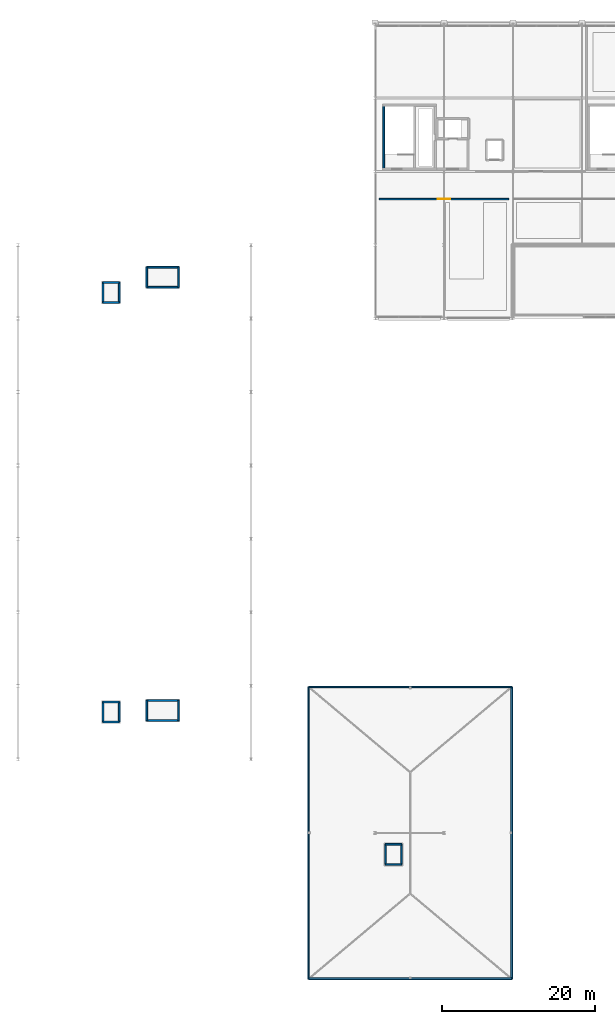
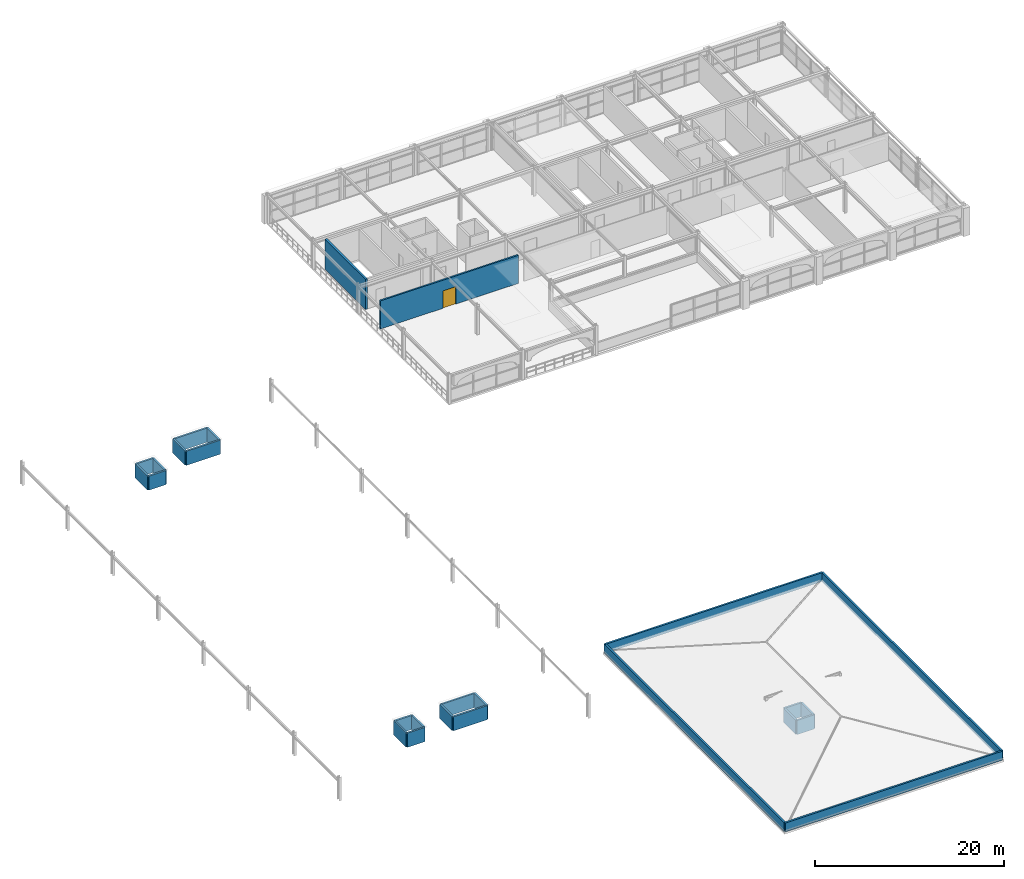
# One storey, part 20 of 25: 26 walls, 1 door, 1 opening.
"""IFC4 building model written with IfcOpenShell, lengths in metres."""

from ifc_helpers import new_model, si_unit, direction, frame, frame_2d, origin, place, context, subcontext, project, spatial, rectangle, extrude, material, layer, layer_set, type_object, element, fill, save


model = new_model("IFC4")

# Units and contexts
model_context = context("Model", 3, precision=1e-05, world=origin(), true_north=direction((0.0, 1.0)))
body_context = subcontext(model_context, "Body", "Model", "MODEL_VIEW")
ifc_project = project(units=[si_unit("LENGTHUNIT", "METRE"), si_unit("AREAUNIT", "SQUARE_METRE"), si_unit("VOLUMEUNIT", "CUBIC_METRE"), si_unit("PLANEANGLEUNIT", "RADIAN"), si_unit("MASSUNIT", "GRAM", prefix="KILO")], contexts=[model_context])

# Site, building, storey
site_placement = place(None, origin())
site = spatial("IfcSite", under=ifc_project, at=site_placement, CompositionType="ELEMENT")
building_placement = place(site_placement, origin())
building = spatial("IfcBuilding", under=site, at=building_placement, Name="Myrtia Square Station", CompositionType="ELEMENT")
storey_placement = place(building_placement, frame((0.0, 0.0, 18.89990234375)))
storey = spatial("IfcBuildingStorey", under=building, at=storey_placement, Name="L04", CompositionType="ELEMENT", Elevation=18.89990234375)

# Walls
ifc_material_1 = material(Name="Concrete C35/45", Category="concrete")
ifc_layer_1 = layer(ifc_material_1, 0.25, Name="Concrete C35/45")
ifc_layer_set_1 = layer_set([ifc_layer_1], Name="Concrete C35/45")
wall_type_1 = type_object("IfcWallType", Name="WL-CORE-250", PredefinedType="SHEAR", material=ifc_layer_set_1)
wall_1_placement = place(storey_placement, frame((127.125, 105.800048828125, 0.0), z_axis=(0.0, 0.0, 1.0), x_axis=(0.0, 1.0, 0.0)))
element("IfcWall", 1, at=wall_1_placement, inside=storey, type_object=wall_type_1, Name="Core K7 shear wall L04 W", PredefinedType="SHEAR", context=body_context, shape_type="SweptSolid", body=[
    extrude(rectangle(XDim=8.599853515625, YDim=0.25, at=frame_2d((4.2998046875, 0.0))), origin(), (0.0, 0.0, 1.0), 3.900146484375),
])
ifc_layer_2 = layer(ifc_material_1, 0.219970703125, Name="Concrete C35/45")
ifc_layer_set_2 = layer_set([ifc_layer_2], Name="Concrete C35/45")
wall_type_2 = type_object("IfcWallType", Name="WL-LIFT-220", PredefinedType="SHEAR", material=ifc_layer_set_2)
for number, where, z_axis, x_axis, name in (
    (2, (90.43994140625, 33.68994140625, 0.0), (0.0, 0.0, 1.0), (1.0, 0.0, 0.0), "Lift overrun enclosure wall PL-05 S"),
    (3, (90.43994140625, 36.31005859375, 0.0), (0.0, 0.0, 1.0), (1.0, 0.0, 0.0), "Lift overrun enclosure wall PL-05 N"),
):
    element("IfcWall", number, at=place(storey_placement, frame(where, z_axis=z_axis, x_axis=x_axis)), inside=storey, type_object=wall_type_2, Name=name, PredefinedType="SHEAR", context=body_context, shape_type="SweptSolid", body=[
        extrude(rectangle(XDim=2.1201171875, YDim=0.219970703125, at=frame_2d((1.06005859375, 0.0))), origin(), (0.0, 0.0, 1.0), 1.820068359375),
    ])
for number, where, z_axis, x_axis, name in (
    (4, (90.43994140625, 33.68994140625, 0.0), (0.0, 0.0, 1.0), (0.0, 1.0, 0.0), "Lift overrun enclosure wall PL-05 W"),
    (5, (92.56005859375, 33.68994140625, 0.0), (0.0, 0.0, 1.0), (0.0, 1.0, 0.0), "Lift overrun enclosure wall PL-05 E"),
):
    element("IfcWall", number, at=place(storey_placement, frame(where, z_axis=z_axis, x_axis=x_axis)), inside=storey, type_object=wall_type_2, Name=name, PredefinedType="SHEAR", context=body_context, shape_type="SweptSolid", body=[
        extrude(rectangle(XDim=2.6201171875, YDim=0.219970703125, at=frame_2d((1.31005859375, 0.0))), origin(), (0.0, 0.0, 1.0), 1.820068359375),
    ])
for number, where, z_axis, x_axis, name in (
    (6, (90.43994140625, 88.489990234375, 0.0), (0.0, 0.0, 1.0), (1.0, 0.0, 0.0), "Lift overrun enclosure wall PL-06 S"),
    (7, (90.43994140625, 91.110107421875, 0.0), (0.0, 0.0, 1.0), (1.0, 0.0, 0.0), "Lift overrun enclosure wall PL-06 N"),
):
    element("IfcWall", number, at=place(storey_placement, frame(where, z_axis=z_axis, x_axis=x_axis)), inside=storey, type_object=wall_type_2, Name=name, PredefinedType="SHEAR", context=body_context, shape_type="SweptSolid", body=[
        extrude(rectangle(XDim=2.1201171875, YDim=0.219970703125, at=frame_2d((1.06005859375, 0.0))), origin(), (0.0, 0.0, 1.0), 1.820068359375),
    ])
for number, where, z_axis, x_axis, name in (
    (8, (90.43994140625, 88.489990234375, 0.0), (0.0, 0.0, 1.0), (0.0, 1.0, 0.0), "Lift overrun enclosure wall PL-06 W"),
    (9, (92.56005859375, 88.489990234375, 0.0), (0.0, 0.0, 1.0), (0.0, 1.0, 0.0), "Lift overrun enclosure wall PL-06 E"),
):
    element("IfcWall", number, at=place(storey_placement, frame(where, z_axis=z_axis, x_axis=x_axis)), inside=storey, type_object=wall_type_2, Name=name, PredefinedType="SHEAR", context=body_context, shape_type="SweptSolid", body=[
        extrude(rectangle(XDim=2.6201171875, YDim=0.219970703125, at=frame_2d((1.31005859375, 0.0))), origin(), (0.0, 0.0, 1.0), 1.820068359375),
    ])
for number, where, z_axis, x_axis, name in (
    (10, (127.340087890625, 15.090087890625, 0.0), (0.0, 0.0, 1.0), (1.0, 0.0, 0.0), "Lift overrun enclosure wall PL-07 S"),
    (11, (127.340087890625, 17.7099609375, 0.0), (0.0, 0.0, 1.0), (1.0, 0.0, 0.0), "Lift overrun enclosure wall PL-07 N"),
):
    element("IfcWall", number, at=place(storey_placement, frame(where, z_axis=z_axis, x_axis=x_axis)), inside=storey, type_object=wall_type_2, Name=name, PredefinedType="SHEAR", context=body_context, shape_type="SweptSolid", body=[
        extrude(rectangle(XDim=2.119873046875, YDim=0.219970703125, at=frame_2d((1.06005859375, 0.0))), origin(), (0.0, 0.0, 1.0), 1.820068359375),
    ])
for number, where, z_axis, x_axis, name in (
    (12, (127.340087890625, 15.090087890625, 0.0), (0.0, 0.0, 1.0), (0.0, 1.0, 0.0), "Lift overrun enclosure wall PL-07 W"),
    (13, (129.4599609375, 15.090087890625, 0.0), (0.0, 0.0, 1.0), (0.0, 1.0, 0.0), "Lift overrun enclosure wall PL-07 E"),
):
    element("IfcWall", number, at=place(storey_placement, frame(where, z_axis=z_axis, x_axis=x_axis)), inside=storey, type_object=wall_type_2, Name=name, PredefinedType="SHEAR", context=body_context, shape_type="SweptSolid", body=[
        extrude(rectangle(XDim=2.619873046875, YDim=0.219970703125, at=frame_2d((1.31005859375, 0.0))), origin(), (0.0, 0.0, 1.0), 1.820068359375),
    ])
for number, where, z_axis, x_axis, name in (
    (14, (96.169921875, 33.8798828125, 0.0), (0.0, 0.0, 1.0), (1.0, 0.0, 0.0), "Lift overrun enclosure wall FFL-01 S"),
    (15, (96.169921875, 36.5, 0.0), (0.0, 0.0, 1.0), (1.0, 0.0, 0.0), "Lift overrun enclosure wall FFL-01 N"),
):
    element("IfcWall", number, at=place(storey_placement, frame(where, z_axis=z_axis, x_axis=x_axis)), inside=storey, type_object=wall_type_2, Name=name, PredefinedType="SHEAR", context=body_context, shape_type="SweptSolid", body=[
        extrude(rectangle(XDim=4.16015625, YDim=0.219970703125, at=frame_2d((2.080078125, 0.0))), origin(), (0.0, 0.0, 1.0), 1.820068359375),
    ])
for number, where, z_axis, x_axis, name in (
    (16, (96.169921875, 33.8798828125, 0.0), (0.0, 0.0, 1.0), (0.0, 1.0, 0.0), "Lift overrun enclosure wall FFL-01 W"),
    (17, (100.330078125, 33.8798828125, 0.0), (0.0, 0.0, 1.0), (0.0, 1.0, 0.0), "Lift overrun enclosure wall FFL-01 E"),
):
    element("IfcWall", number, at=place(storey_placement, frame(where, z_axis=z_axis, x_axis=x_axis)), inside=storey, type_object=wall_type_2, Name=name, PredefinedType="SHEAR", context=body_context, shape_type="SweptSolid", body=[
        extrude(rectangle(XDim=2.6201171875, YDim=0.219970703125, at=frame_2d((1.31005859375, 0.0))), origin(), (0.0, 0.0, 1.0), 1.820068359375),
    ])
for number, where, z_axis, x_axis, name in (
    (18, (96.169921875, 90.47998046875, 0.0), (0.0, 0.0, 1.0), (1.0, 0.0, 0.0), "Lift overrun enclosure wall FFL-02 S"),
    (19, (96.169921875, 93.10009765625, 0.0), (0.0, 0.0, 1.0), (1.0, 0.0, 0.0), "Lift overrun enclosure wall FFL-02 N"),
):
    element("IfcWall", number, at=place(storey_placement, frame(where, z_axis=z_axis, x_axis=x_axis)), inside=storey, type_object=wall_type_2, Name=name, PredefinedType="SHEAR", context=body_context, shape_type="SweptSolid", body=[
        extrude(rectangle(XDim=4.16015625, YDim=0.219970703125, at=frame_2d((2.080078125, 0.0))), origin(), (0.0, 0.0, 1.0), 1.820068359375),
    ])
for number, where, z_axis, x_axis, name in (
    (20, (96.169921875, 90.47998046875, 0.0), (0.0, 0.0, 1.0), (0.0, 1.0, 0.0), "Lift overrun enclosure wall FFL-02 W"),
    (21, (100.330078125, 90.47998046875, 0.0), (0.0, 0.0, 1.0), (0.0, 1.0, 0.0), "Lift overrun enclosure wall FFL-02 E"),
):
    element("IfcWall", number, at=place(storey_placement, frame(where, z_axis=z_axis, x_axis=x_axis)), inside=storey, type_object=wall_type_2, Name=name, PredefinedType="SHEAR", context=body_context, shape_type="SweptSolid", body=[
        extrude(rectangle(XDim=2.6201171875, YDim=0.219970703125, at=frame_2d((1.31005859375, 0.0))), origin(), (0.0, 0.0, 1.0), 1.820068359375),
    ])
ifc_material_2 = material(Name="Cream lime stucco on clay brick masonry", Category="masonry")
ifc_layer_3 = layer(ifc_material_2, 0.22998046875, Name="Cream lime stucco on clay brick masonry")
ifc_layer_set_3 = layer_set([ifc_layer_3], Name="Cream lime stucco on clay brick masonry")
wall_type_3 = type_object("IfcWallType", Name="WL-PAR-STUCCO-230", PredefinedType="PARAPET", material=ifc_layer_set_3)
wall_2_placement = place(storey_placement, frame((117.300048828125, 0.14990234375, 0.0), z_axis=(0.0, 0.0, 1.0), x_axis=(1.0, 0.0, 0.0)))
element("IfcWall", 22, at=wall_2_placement, inside=storey, type_object=wall_type_3, Name="Spanish Mission roof parapet 037", PredefinedType="PARAPET", context=body_context, shape_type="SweptSolid", body=[
    extrude(rectangle(XDim=26.550048828125, YDim=0.22998046875, at=frame_2d((13.27490234375, 0.0))), origin(), (0.0, 0.0, 1.0), 1.150146484375),
])
wall_3_placement = place(storey_placement, frame((143.85009765625, 0.14990234375, 0.0), z_axis=(0.0, 0.0, 1.0), x_axis=(0.0, 1.0, 0.0)))
element("IfcWall", 23, at=wall_3_placement, inside=storey, type_object=wall_type_3, Name="Spanish Mission roof parapet 038", PredefinedType="PARAPET", context=body_context, shape_type="SweptSolid", body=[
    extrude(rectangle(XDim=38.10009765625, YDim=0.22998046875, at=frame_2d((19.050048828125, 0.0))), origin(), (0.0, 0.0, 1.0), 1.150146484375),
])
wall_4_placement = place(storey_placement, frame((143.85009765625, 38.25, 0.0), z_axis=(0.0, 0.0, 1.0), x_axis=(-1.0, 0.0, 0.0)))
element("IfcWall", 24, at=wall_4_placement, inside=storey, type_object=wall_type_3, Name="Spanish Mission roof parapet 039", PredefinedType="PARAPET", context=body_context, shape_type="SweptSolid", body=[
    extrude(rectangle(XDim=26.550048828125, YDim=0.22998046875, at=frame_2d((13.27490234375, 0.0))), origin(), (0.0, 0.0, 1.0), 1.150146484375),
])
wall_5_placement = place(storey_placement, frame((117.300048828125, 38.25, 0.0), z_axis=(0.0, 0.0, 1.0), x_axis=(0.0, -1.0, 0.0)))
element("IfcWall", 25, at=wall_5_placement, inside=storey, type_object=wall_type_3, Name="Spanish Mission roof parapet 040", PredefinedType="PARAPET", context=body_context, shape_type="SweptSolid", body=[
    extrude(rectangle(XDim=38.10009765625, YDim=0.22998046875, at=frame_2d((19.050048828125, 0.0))), origin(), (0.0, 0.0, 1.0), 1.150146484375),
])

# Wall, opening, door
ifc_layer_4 = layer(ifc_material_2, 0.199951171875, Name="Cream lime stucco on clay brick masonry")
ifc_layer_set_4 = layer_set([ifc_layer_4], Name="Cream lime stucco on clay brick masonry")
wall_type_4 = type_object("IfcWallType", Name="WL-PART-200", PredefinedType="PARTITIONING", material=ifc_layer_set_4)
wall_6_placement = place(storey_placement, frame((126.550048828125, 102.0, 0.0), z_axis=(0.0, 0.0, 1.0), x_axis=(1.0, 0.0, 0.0)))
wall_6 = element("IfcWall", 26, at=wall_6_placement, inside=storey, type_object=wall_type_4, Name="Interior partition wall L04-01", PredefinedType="PARTITIONING", context=body_context, shape_type="SweptSolid", body=[
    extrude(rectangle(XDim=16.89990234375, YDim=0.199951171875, at=frame_2d((8.449951171875, 0.0))), origin(), (0.0, 0.0, 1.0), 3.64013671875),
])
opening_placement = place(wall_6_placement, frame((7.64990234375, 0.0, 0.0)))
opening = element("IfcOpeningElement", 27, at=opening_placement, cuts=wall_6, Name="Opening D-279", PredefinedType="OPENING", context=body_context, shape_type="SweptSolid", body=[
    extrude(rectangle(XDim=1.60009765625, YDim=2.25, at=frame_2d((0.800048828125, 1.125))), frame((0.0, 0.114990234375, 0.0), z_axis=(0.0, -1.0, 0.0), x_axis=(1.0, 0.0, 0.0)), (0.0, 0.0, 1.0), 0.22998046875),
])
ifc_material_3 = material(Name="Dark bronze anodised aluminium", Category="aluminium")
door_type = type_object("IfcDoorType", Name="DR-CORR-1600x2250", OperationType="NOTDEFINED", PredefinedType="DOOR", material=ifc_material_3)
door_placement = place(opening_placement, origin())
door = element("IfcDoor", 28, at=door_placement, inside=storey, type_object=door_type, Name="Rail Operations Management Office door D-279", OperationType="DOUBLE_DOOR_SINGLE_SWING", OverallHeight=2.25, OverallWidth=1.60009765625, PredefinedType="DOOR", context=body_context, shape_type="SweptSolid", body=[
    extrude(rectangle(XDim=1.60009765625, YDim=2.25, at=frame_2d((0.800048828125, 1.125))), frame((0.0, 0.02490234375, 0.0), z_axis=(0.0, -1.0, 0.0), x_axis=(1.0, 0.0, 0.0)), (0.0, 0.0, 1.0), 0.050048828125),
])
fill(opening, door)

save(model, "model.ifc")
